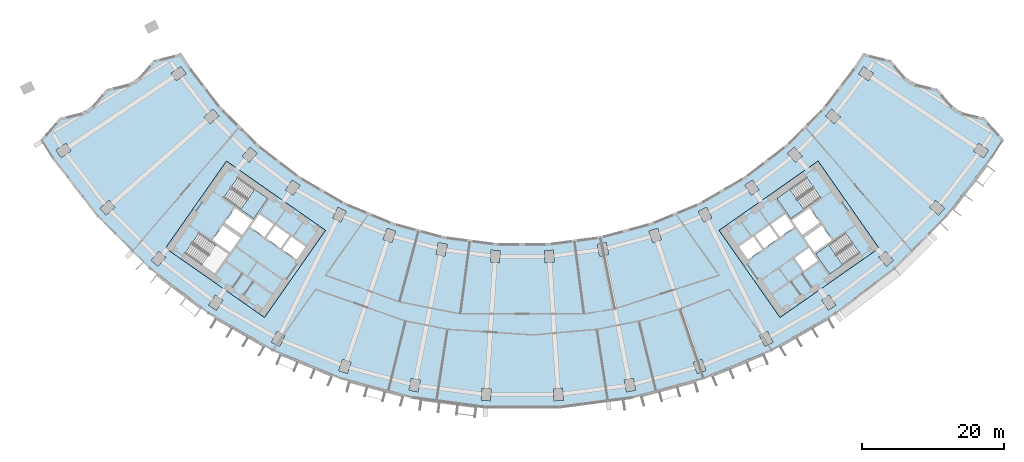
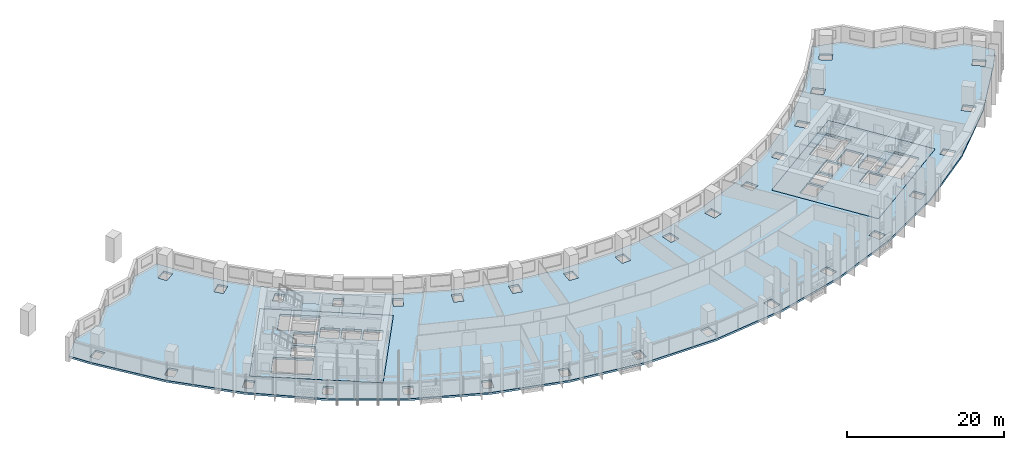
# One storey, part 2 of 32: 6 slabs, 3 elements without a shape of their own.
"""IFC4 building model written with IfcOpenShell, lengths in metres."""

from ifc_helpers import new_model, si_unit, direction, frame, origin, place, context, subcontext, project, spatial, polyline, outline, extrude, material, layer, layer_set, type_object, element, aggregate, save


model = new_model("IFC4")

# Units and contexts
model_context = context("Model", 3, precision=1e-05, world=origin(), true_north=direction((0.0, 1.0)))
body_context = subcontext(model_context, "Body", "Model", "MODEL_VIEW")
ifc_project = project(units=[si_unit("LENGTHUNIT", "METRE"), si_unit("AREAUNIT", "SQUARE_METRE"), si_unit("VOLUMEUNIT", "CUBIC_METRE"), si_unit("PLANEANGLEUNIT", "RADIAN"), si_unit("MASSUNIT", "GRAM", prefix="KILO")], contexts=[model_context])

# Site, building, storey
site_placement = place(None, origin())
site = spatial("IfcSite", under=ifc_project, at=site_placement, CompositionType="ELEMENT")
building_placement = place(site_placement, origin())
building = spatial("IfcBuilding", under=site, at=building_placement, Name="Qamariyya Broadcast Tower", CompositionType="ELEMENT")
storey_placement = place(building_placement, frame((0.0, 0.0, 70.89990234375)))
storey = spatial("IfcBuildingStorey", under=building, at=storey_placement, Name="L14", CompositionType="ELEMENT", Elevation=70.89990234375)

# Slabs
ifc_material_1 = material(Name="Concrete C40/50", Category="concrete")
ifc_layer_1 = layer(ifc_material_1, 0.300048828125)
ifc_layer_set_1 = layer_set([ifc_layer_1], Name="Core floor slab 300 mm Concrete C40/50")
slab_type_1 = type_object("IfcSlabType", Name="Core floor slab 300 mm Concrete C40/50", PredefinedType="FLOOR", material=ifc_layer_set_1)
slab_1_placement = place(storey_placement, frame((0.0, 0.0, -0.2998046875)))
element("IfcSlab", 1, at=slab_1_placement, inside=storey, type_object=slab_type_1, Name="k-W-L14-slab", PredefinedType="FLOOR", context=body_context, shape_type="SweptSolid", body=[
    extrude(outline(polyline([(-50.286376953125, -56.95751953125), (-36.32373046875, -66.734375), (-27.719970703125, -54.447021484375), (-41.6826171875, -44.67041015625), (-50.286376953125, -56.95751953125)]), holes=[polyline([(-31.80859375, -58.542724609375), (-33.8154296875, -57.137451171875), (-32.5537109375, -55.335205078125), (-30.546630859375, -56.740478515625), (-31.80859375, -58.542724609375)]), polyline([(-34.061279296875, -56.96533203125), (-36.068115234375, -55.56005859375), (-34.806396484375, -53.758056640625), (-32.79931640625, -55.163330078125), (-34.061279296875, -56.96533203125)]), polyline([(-36.31396484375, -55.387939453125), (-38.32080078125, -53.982666015625), (-37.058837890625, -52.1806640625), (-35.052001953125, -53.5859375), (-36.31396484375, -55.387939453125)]), polyline([(-39.742431640625, -55.489990234375), (-42.199951171875, -53.769287109375), (-43.6337890625, -55.817138671875), (-41.17626953125, -57.537841796875), (-39.742431640625, -55.489990234375)]), polyline([(-39.45556640625, -55.080322265625), (-41.9130859375, -53.359619140625), (-40.47900390625, -51.311767578125), (-38.021728515625, -53.032470703125), (-39.45556640625, -55.080322265625)]), polyline([(-42.06103515625, -49.837890625), (-37.849609375, -52.78662109375), (-35.870849609375, -49.960693359375), (-40.082275390625, -47.01171875), (-42.06103515625, -49.837890625)]), polyline([(-47.538818359375, -57.66064453125), (-43.3271484375, -60.609619140625), (-41.348388671875, -57.783447265625), (-45.559814453125, -54.834716796875), (-47.538818359375, -57.66064453125)])]), origin(), (0.0, 0.0, 1.0), 0.2998046875),
])
slab_2_placement = place(storey_placement, frame((0.0, 0.0, -0.2998046875)))
element("IfcSlab", 2, at=slab_2_placement, inside=storey, type_object=slab_type_1, Name="k-E-L14-slab", PredefinedType="FLOOR", context=body_context, shape_type="SweptSolid", body=[
    extrude(outline(polyline([(36.32373046875, -66.734375), (50.286376953125, -56.95751953125), (41.6826171875, -44.67041015625), (27.719970703125, -54.447021484375), (36.32373046875, -66.734375)]), holes=[polyline([(31.80859375, -58.542724609375), (33.8154296875, -57.137451171875), (32.5537109375, -55.335205078125), (30.546630859375, -56.740478515625), (31.80859375, -58.542724609375)]), polyline([(34.061279296875, -56.96533203125), (36.068115234375, -55.56005859375), (34.806396484375, -53.758056640625), (32.79931640625, -55.163330078125), (34.061279296875, -56.96533203125)]), polyline([(36.31396484375, -55.387939453125), (38.32080078125, -53.982666015625), (37.058837890625, -52.1806640625), (35.052001953125, -53.5859375), (36.31396484375, -55.387939453125)]), polyline([(38.378662109375, -58.3369140625), (40.3857421875, -56.931640625), (41.6474609375, -58.73388671875), (39.640625, -60.13916015625), (38.378662109375, -58.3369140625)]), polyline([(39.742431640625, -55.489990234375), (42.199951171875, -53.769287109375), (43.6337890625, -55.817138671875), (41.17626953125, -57.537841796875), (39.742431640625, -55.489990234375)]), polyline([(39.45556640625, -55.080322265625), (41.9130859375, -53.359619140625), (40.47900390625, -51.311767578125), (38.021728515625, -53.032470703125), (39.45556640625, -55.080322265625)]), polyline([(40.082275390625, -47.01171875), (35.870849609375, -49.960693359375), (37.849609375, -52.78662109375), (42.06103515625, -49.837890625), (40.082275390625, -47.01171875)]), polyline([(45.559814453125, -54.834716796875), (41.348388671875, -57.783447265625), (43.3271484375, -60.609619140625), (47.538818359375, -57.66064453125), (45.559814453125, -54.834716796875)])]), origin(), (0.0, 0.0, 1.0), 0.2998046875),
])
ifc_layer_2 = layer(ifc_material_1, 0.300048828125)
ifc_layer_set_2 = layer_set([ifc_layer_2], Name="Post-tensioned floor slab 300 C40/50")
slab_type_2 = type_object("IfcSlabType", Name="Post-tensioned floor slab 300 C40/50", PredefinedType="FLOOR", material=ifc_layer_set_2)
slab_3_placement = place(storey_placement, frame((0.0, 0.0, -0.2998046875)))
element("IfcSlab", 3, at=slab_3_placement, inside=storey, type_object=slab_type_2, Name="Floor slab S4 L14", PredefinedType="FLOOR", context=body_context, shape_type="SweptSolid", body=[
    extrude(outline(polyline([(-65.1943359375, -38.604248046875), (-67.884521484375, -41.6630859375), (-66.2265625, -44.251220703125), (-59.884033203125, -52.516845703125), (-52.516845703125, -59.884033203125), (-44.251220703125, -66.2265625), (-35.228271484375, -71.43603515625), (-25.6025390625, -75.423095703125), (-15.5390625, -78.11962890625), (-5.20947265625, -79.4794921875), (5.20947265625, -79.4794921875), (15.5390625, -78.11962890625), (25.6025390625, -75.423095703125), (35.228271484375, -71.43603515625), (44.251220703125, -66.2265625), (52.516845703125, -59.884033203125), (59.884033203125, -52.516845703125), (66.2265625, -44.251220703125), (67.884521484375, -41.6630859375), (65.1943359375, -38.604248046875), (61.26513671875, -37.6005859375), (58.573974609375, -34.541015625), (54.645751953125, -33.5380859375), (51.953369140625, -30.477783203125), (48.0263671875, -29.475341796875), (46.853271484375, -31.306396484375), (42.3662109375, -37.154052734375), (37.154052734375, -42.3662109375), (31.306396484375, -46.853271484375), (24.9228515625, -50.538818359375), (18.113037109375, -53.359619140625), (10.993408203125, -55.267333984375), (3.685546875, -56.229248046875), (-3.685546875, -56.229248046875), (-10.993408203125, -55.267333984375), (-18.113037109375, -53.359619140625), (-24.9228515625, -50.538818359375), (-31.306396484375, -46.853271484375), (-37.154052734375, -42.3662109375), (-42.3662109375, -37.154052734375), (-46.853271484375, -31.306396484375), (-48.0263671875, -29.475341796875), (-51.953369140625, -30.477783203125), (-54.645751953125, -33.5380859375), (-58.573974609375, -34.541015625), (-61.26513671875, -37.6005859375), (-65.1943359375, -38.604248046875)]), holes=[polyline([(-5.789306640625, -78.38916015625), (-5.67822265625, -76.69287109375), (-4.380859375, -76.77783203125), (-4.4921875, -78.47412109375), (-5.789306640625, -78.38916015625)]), polyline([(-15.9716796875, -76.962890625), (-15.639892578125, -75.295654296875), (-14.364990234375, -75.54931640625), (-14.696533203125, -77.216552734375), (-15.9716796875, -76.962890625)]), polyline([(-25.880615234375, -74.2197265625), (-25.334228515625, -72.610107421875), (-24.103271484375, -73.02783203125), (-24.649658203125, -74.6376953125), (-25.880615234375, -74.2197265625)]), polyline([(-35.346923828125, -70.206787109375), (-34.594970703125, -68.68212890625), (-33.428955078125, -69.257080078125), (-34.180908203125, -70.78173828125), (-35.346923828125, -70.206787109375)]), polyline([(-44.208251953125, -64.992431640625), (-43.263916015625, -63.578857421875), (-42.182861328125, -64.301025390625), (-43.12744140625, -65.714599609375), (-44.208251953125, -64.992431640625)]), polyline([(-52.313232421875, -58.666015625), (-51.1923828125, -57.387939453125), (-50.215087890625, -58.2451171875), (-51.3359375, -59.523193359375), (-52.313232421875, -58.666015625)]), polyline([(-12.167236328125, -57.837646484375), (-11.835693359375, -56.170166015625), (-10.560791015625, -56.423828125), (-10.892333984375, -58.09130859375), (-12.167236328125, -57.837646484375)]), polyline([(-41.6826171875, -44.67041015625), (-27.719970703125, -54.447021484375), (-36.32373046875, -66.734375), (-50.286376953125, -56.95751953125), (-41.6826171875, -44.67041015625)]), polyline([(-19.066162109375, -54.144775390625), (-17.835205078125, -54.562744140625), (-18.381591796875, -56.172607421875), (-19.612548828125, -55.754638671875), (-19.066162109375, -54.144775390625)]), polyline([(-26.72216796875, -52.7177734375), (-25.970458984375, -51.193115234375), (-24.804443359375, -51.76806640625), (-25.556396484375, -53.292724609375), (-26.72216796875, -52.7177734375)]), polyline([(-59.523193359375, -51.3359375), (-58.2451171875, -50.215087890625), (-57.387939453125, -51.1923828125), (-58.666015625, -52.313232421875), (-59.523193359375, -51.3359375)]), polyline([(-33.374755859375, -48.77880859375), (-32.43017578125, -47.365234375), (-31.349365234375, -48.08740234375), (-32.293701171875, -49.5009765625), (-33.374755859375, -48.77880859375)]), polyline([(-39.4560546875, -44.005126953125), (-38.335205078125, -42.72705078125), (-37.357666015625, -43.584228515625), (-38.478759765625, -44.8623046875), (-39.4560546875, -44.005126953125)]), polyline([(-65.714599609375, -43.12744140625), (-64.301025390625, -42.182861328125), (-63.578857421875, -43.263916015625), (-64.992431640625, -44.208251953125), (-65.714599609375, -43.12744140625)]), polyline([(-44.8623046875, -38.478759765625), (-43.584228515625, -37.357666015625), (-42.72705078125, -38.335205078125), (-44.005126953125, -39.4560546875), (-44.8623046875, -38.478759765625)]), polyline([(-48.08740234375, -31.349365234375), (-47.365234375, -32.43017578125), (-48.77880859375, -33.374755859375), (-49.5009765625, -32.293701171875), (-48.08740234375, -31.349365234375)]), polyline([(4.4921875, -78.47412109375), (4.380859375, -76.77783203125), (5.67822265625, -76.69287109375), (5.789306640625, -78.38916015625), (4.4921875, -78.47412109375)]), polyline([(14.696533203125, -77.216552734375), (14.364990234375, -75.54931640625), (15.639892578125, -75.295654296875), (15.9716796875, -76.962890625), (14.696533203125, -77.216552734375)]), polyline([(24.649658203125, -74.6376953125), (24.103271484375, -73.02783203125), (25.334228515625, -72.610107421875), (25.880615234375, -74.2197265625), (24.649658203125, -74.6376953125)]), polyline([(34.180908203125, -70.78173828125), (33.428955078125, -69.257080078125), (34.594970703125, -68.68212890625), (35.346923828125, -70.206787109375), (34.180908203125, -70.78173828125)]), polyline([(43.12744140625, -65.714599609375), (42.182861328125, -64.301025390625), (43.263916015625, -63.578857421875), (44.208251953125, -64.992431640625), (43.12744140625, -65.714599609375)]), polyline([(51.3359375, -59.523193359375), (50.215087890625, -58.2451171875), (51.1923828125, -57.387939453125), (52.313232421875, -58.666015625), (51.3359375, -59.523193359375)]), polyline([(3.216796875, -59.015869140625), (3.10546875, -57.319580078125), (4.40283203125, -57.234619140625), (4.513916015625, -58.930908203125), (3.216796875, -59.015869140625)]), polyline([(-4.40283203125, -57.234619140625), (-3.10546875, -57.319580078125), (-3.216796875, -59.015869140625), (-4.513916015625, -58.930908203125), (-4.40283203125, -57.234619140625)]), polyline([(10.560791015625, -56.423828125), (11.835693359375, -56.170166015625), (12.167236328125, -57.837646484375), (10.892333984375, -58.09130859375), (10.560791015625, -56.423828125)]), polyline([(36.32373046875, -66.734375), (27.719970703125, -54.447021484375), (41.6826171875, -44.67041015625), (50.286376953125, -56.95751953125), (36.32373046875, -66.734375)]), polyline([(18.381591796875, -56.172607421875), (17.835205078125, -54.562744140625), (19.066162109375, -54.144775390625), (19.612548828125, -55.754638671875), (18.381591796875, -56.172607421875)]), polyline([(25.556396484375, -53.292724609375), (24.804443359375, -51.76806640625), (25.970458984375, -51.193115234375), (26.72216796875, -52.7177734375), (25.556396484375, -53.292724609375)]), polyline([(58.666015625, -52.313232421875), (57.387939453125, -51.1923828125), (58.2451171875, -50.215087890625), (59.523193359375, -51.3359375), (58.666015625, -52.313232421875)]), polyline([(32.293701171875, -49.5009765625), (31.349365234375, -48.08740234375), (32.43017578125, -47.365234375), (33.374755859375, -48.77880859375), (32.293701171875, -49.5009765625)]), polyline([(38.478759765625, -44.8623046875), (37.357666015625, -43.584228515625), (38.335205078125, -42.72705078125), (39.4560546875, -44.005126953125), (38.478759765625, -44.8623046875)]), polyline([(64.992431640625, -44.208251953125), (63.578857421875, -43.263916015625), (64.301025390625, -42.182861328125), (65.714599609375, -43.12744140625), (64.992431640625, -44.208251953125)]), polyline([(42.72705078125, -38.335205078125), (43.584228515625, -37.357666015625), (44.8623046875, -38.478759765625), (44.005126953125, -39.4560546875), (42.72705078125, -38.335205078125)]), polyline([(47.365234375, -32.43017578125), (48.08740234375, -31.349365234375), (49.5009765625, -32.293701171875), (48.77880859375, -33.374755859375), (47.365234375, -32.43017578125)])]), origin(), (0.0, 0.0, 1.0), 0.2998046875),
])

# Stair, slab
ifc_material_2 = material(Name="Concrete C50/60", Category="concrete")
stair_type = type_object("IfcStairType", Name="Exit stair 22 risers of 173 mm", PredefinedType="HALF_TURN_STAIR", material=ifc_material_2)
stair_1_placement = place(storey_placement, origin())
stair_1 = element("IfcStair", 4, at=stair_1_placement, inside=storey, type_object=stair_type, Name="L14 Stair W2", PredefinedType="HALF_TURN_STAIR")
ifc_layer_3 = layer(ifc_material_2, 0.199951171875)
ifc_layer_set_3 = layer_set([ifc_layer_3], Name="Stair landing")
slab_type_3 = type_object("IfcSlabType", Name="Stair landing", PredefinedType="LANDING", material=ifc_layer_set_3)
slab_4_placement = place(storey_placement, frame((0.0, 0.0, 1.7001953125)))
slab_4 = element("IfcSlab", 5, at=slab_4_placement, type_object=slab_type_3, Name="ST-W2 landing 1", PredefinedType="LANDING", context=body_context, shape_type="SweptSolid", body=[
    extrude(outline(polyline([(-39.692138671875, -51.49658203125), (-37.849609375, -52.78662109375), (-35.870849609375, -49.960693359375), (-37.71337890625, -48.67041015625), (-39.692138671875, -51.49658203125)])), origin(), (0.0, 0.0, 1.0), 0.199951171875),
])
aggregate(stair_1, [slab_4])

stair_2_placement = place(storey_placement, origin())
stair_2 = element("IfcStair", 6, at=stair_2_placement, inside=storey, type_object=stair_type, Name="L14 Stair E2", PredefinedType="HALF_TURN_STAIR")
slab_5_placement = place(storey_placement, frame((0.0, 0.0, 1.7001953125)))
slab_5 = element("IfcSlab", 7, at=slab_5_placement, type_object=slab_type_3, Name="ST-E2 landing 1", PredefinedType="LANDING", context=body_context, shape_type="SweptSolid", body=[
    extrude(outline(polyline([(37.71337890625, -48.67041015625), (35.870849609375, -49.960693359375), (37.849609375, -52.78662109375), (39.692138671875, -51.49658203125), (37.71337890625, -48.67041015625)])), origin(), (0.0, 0.0, 1.0), 0.199951171875),
])
aggregate(stair_2, [slab_5])

stair_3_placement = place(storey_placement, origin())
stair_3 = element("IfcStair", 8, at=stair_3_placement, inside=storey, type_object=stair_type, Name="L14 Stair E1", PredefinedType="HALF_TURN_STAIR")
slab_6_placement = place(storey_placement, frame((0.0, 0.0, 1.7001953125)))
slab_6 = element("IfcSlab", 9, at=slab_6_placement, type_object=slab_type_3, Name="ST-E1 landing 1", PredefinedType="LANDING", context=body_context, shape_type="SweptSolid", body=[
    extrude(outline(polyline([(43.19091796875, -56.493408203125), (41.348388671875, -57.783447265625), (43.3271484375, -60.609619140625), (45.169677734375, -59.319580078125), (43.19091796875, -56.493408203125)])), origin(), (0.0, 0.0, 1.0), 0.199951171875),
])
aggregate(stair_3, [slab_6])

save(model, "model.ifc")
